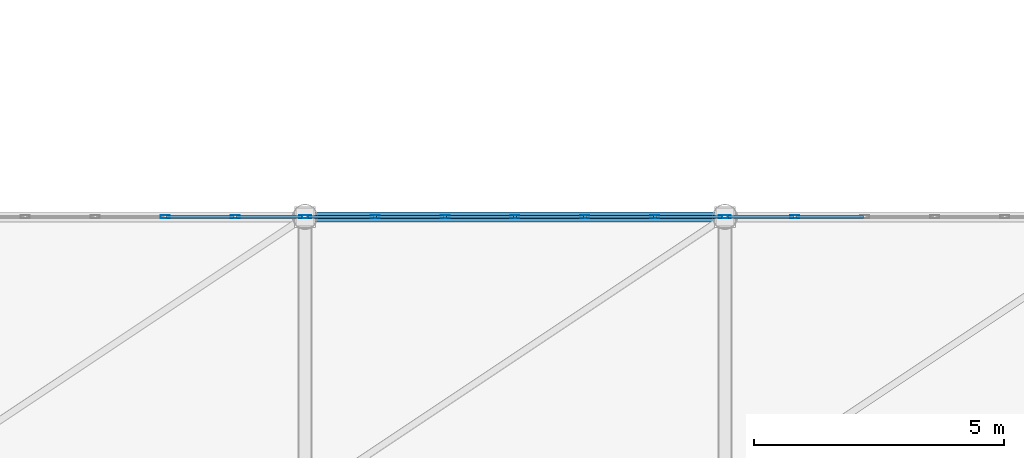
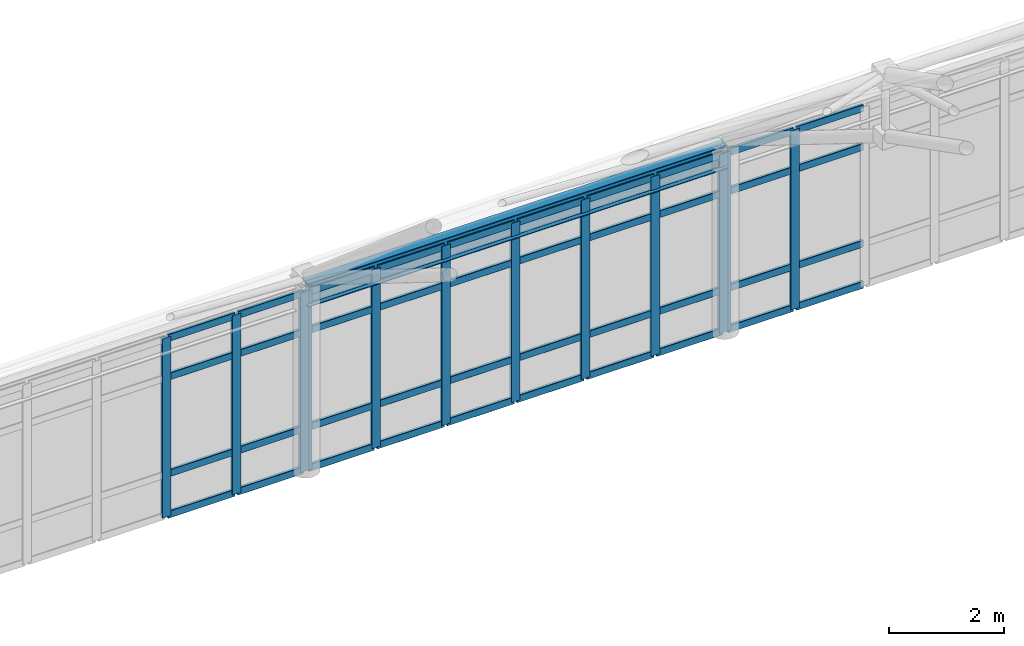
# One storey, part 94 of 184: 52 members, 1 beam, 3 elements without a shape of their own.
"""IFC4 building model written with IfcOpenShell, lengths in metres."""

from ifc_helpers import new_model, si_unit, direction, frame, origin, origin_2d, place, context, subcontext, project, spatial, hollow_rectangle, i_section, extrude, material, layer, layer_set, material_profile, profile_set, type_object, element, aggregate, save


model = new_model("IFC4")

# Units and contexts
model_context = context("Model", 3, precision=1e-05, world=origin(), true_north=direction((0.0, 1.0)))
body_context = subcontext(model_context, "Body", "Model", "MODEL_VIEW")
ifc_project = project(units=[si_unit("LENGTHUNIT", "METRE"), si_unit("AREAUNIT", "SQUARE_METRE"), si_unit("VOLUMEUNIT", "CUBIC_METRE"), si_unit("PLANEANGLEUNIT", "RADIAN"), si_unit("MASSUNIT", "GRAM", prefix="KILO")], contexts=[model_context])

# Site, building, storey
site_placement = place(None, origin())
site = spatial("IfcSite", under=ifc_project, at=site_placement, CompositionType="ELEMENT")
building_placement = place(site_placement, origin())
building = spatial("IfcBuilding", under=site, at=building_placement, Name="Qalvenar Corner Mobility Hub", CompositionType="ELEMENT")
storey_placement = place(building_placement, frame((0.0, 0.0, 9.0)))
storey = spatial("IfcBuildingStorey", under=building, at=storey_placement, Name="L02", CompositionType="ELEMENT", Elevation=9.0)

# Beam
ifc_material_1 = material(Name="Steel S355", Category="steel")
ifc_material_profile_1 = material_profile(ifc_material_1, i_section(OverallWidth=0.199951171875, OverallDepth=0.5, WebThickness=0.01025390625, FlangeThickness=0.01611328125, FilletRadius=0.02099609375, at=origin_2d()), Name="IPE500")
ifc_profile_set_1 = profile_set([ifc_material_profile_1], Name="Steel S355")
beam_type = type_object("IfcBeamType", Name="BM-IPE500", PredefinedType="BEAM", material=ifc_profile_set_1)
beam_placement = place(storey_placement, frame((67.199951171875, 33.60009765625, 3.75), z_axis=(1.0, 0.0, 0.0), x_axis=(0.0, 1.0, 0.0)))
element("IfcBeam", 1, at=beam_placement, inside=storey, type_object=beam_type, Name="Space Frame Ring Beam SFRB-3-33", PredefinedType="BEAM", context=body_context, shape_type="SweptSolid", body=[
    extrude(i_section(OverallWidth=0.199951171875, OverallDepth=0.5, WebThickness=0.01025390625, FlangeThickness=0.01611328125, FilletRadius=0.02099609375, at=origin_2d()), origin(), (0.0, 0.0, 1.0), 8.400146484375),
])

# Curtain wall, members
ifc_material_2 = material(Name="Anodised Aluminium and Low-E Glazing", Category="aluminium")
ifc_layer = layer(ifc_material_2, 0.179931640625)
ifc_layer_set = layer_set([ifc_layer], Name="Anodised Aluminium and Low-E Glazing")
curtain_wall_type = type_object("IfcCurtainWallType", Name="CW-CONC-84X42", PredefinedType="NOTDEFINED", material=ifc_layer_set)
curtain_wall_1_placement = place(storey_placement, origin())
curtain_wall_1 = element("IfcCurtainWall", 2, at=curtain_wall_1_placement, inside=storey, type_object=curtain_wall_type, Name="Glazed Curtain Wall CW-V1-L02-N1", PredefinedType="NOTDEFINED")
ifc_material_3 = material(Name="Anodised Aluminium 6063-T6", Category="aluminium")
ifc_material_profile_2 = material_profile(ifc_material_3, hollow_rectangle(XDim=0.06494140625, YDim=0.179931640625, WallThickness=0.00390625, InnerFilletRadius=0.00390625, OuterFilletRadius=0.008056640625, at=origin_2d()), Name="RHS180x65x4")
ifc_profile_set_2 = profile_set([ifc_material_profile_2], Name="Anodised Aluminium 6063-T6")
member_type_1 = type_object("IfcMemberType", Name="CW-MUL180", PredefinedType="MULLION", material=ifc_profile_set_2)
member_1_placement = place(storey_placement, frame((67.169921875, 33.60009765625, 0.0), z_axis=(0.0, 0.0, 1.0), x_axis=(0.0, -1.0, 0.0)))
member_1 = element("IfcMember", 3, at=member_1_placement, type_object=member_type_1, Name="CW-02 mullion 1", PredefinedType="MULLION", context=body_context, shape_type="SweptSolid", body=[
    extrude(hollow_rectangle(XDim=0.06494140625, YDim=0.179931640625, WallThickness=0.00390625, InnerFilletRadius=0.00390625, OuterFilletRadius=0.008056640625, at=origin_2d()), origin(), (0.0, 0.0, 1.0), 3.800048828125),
])
member_2_placement = place(storey_placement, frame((65.800048828125, 33.60009765625, 0.0), z_axis=(0.0, 0.0, 1.0), x_axis=(0.0, -1.0, 0.0)))
member_2 = element("IfcMember", 4, at=member_2_placement, type_object=member_type_1, Name="CW-02 mullion 2", PredefinedType="MULLION", context=body_context, shape_type="SweptSolid", body=[
    extrude(hollow_rectangle(XDim=0.06494140625, YDim=0.179931640625, WallThickness=0.00390625, InnerFilletRadius=0.00390625, OuterFilletRadius=0.008056640625, at=origin_2d()), origin(), (0.0, 0.0, 1.0), 3.800048828125),
])
member_3_placement = place(storey_placement, frame((64.39990234375, 33.60009765625, 0.0), z_axis=(0.0, 0.0, 1.0), x_axis=(0.0, -1.0, 0.0)))
member_3 = element("IfcMember", 5, at=member_3_placement, type_object=member_type_1, Name="CW-02 mullion 3", PredefinedType="MULLION", context=body_context, shape_type="SweptSolid", body=[
    extrude(hollow_rectangle(XDim=0.06494140625, YDim=0.179931640625, WallThickness=0.00390625, InnerFilletRadius=0.00390625, OuterFilletRadius=0.008056640625, at=origin_2d()), origin(), (0.0, 0.0, 1.0), 3.800048828125),
])

curtain_wall_2_placement = place(storey_placement, origin())
curtain_wall_2 = element("IfcCurtainWall", 6, at=curtain_wall_2_placement, inside=storey, type_object=curtain_wall_type, Name="Glazed Curtain Wall CW-V1-L02-N2", PredefinedType="NOTDEFINED")
member_4_placement = place(storey_placement, frame((75.570068359375, 33.60009765625, 0.0), z_axis=(0.0, 0.0, 1.0), x_axis=(0.0, -1.0, 0.0)))
member_4 = element("IfcMember", 7, at=member_4_placement, type_object=member_type_1, Name="CW-02 mullion 1", PredefinedType="MULLION", context=body_context, shape_type="SweptSolid", body=[
    extrude(hollow_rectangle(XDim=0.06494140625, YDim=0.179931640625, WallThickness=0.00390625, InnerFilletRadius=0.00390625, OuterFilletRadius=0.008056640625, at=origin_2d()), origin(), (0.0, 0.0, 1.0), 3.800048828125),
])
member_5_placement = place(storey_placement, frame((74.199951171875, 33.60009765625, 0.0), z_axis=(0.0, 0.0, 1.0), x_axis=(0.0, -1.0, 0.0)))
member_5 = element("IfcMember", 8, at=member_5_placement, type_object=member_type_1, Name="CW-02 mullion 2", PredefinedType="MULLION", context=body_context, shape_type="SweptSolid", body=[
    extrude(hollow_rectangle(XDim=0.06494140625, YDim=0.179931640625, WallThickness=0.00390625, InnerFilletRadius=0.00390625, OuterFilletRadius=0.008056640625, at=origin_2d()), origin(), (0.0, 0.0, 1.0), 3.800048828125),
])
member_6_placement = place(storey_placement, frame((72.800048828125, 33.60009765625, 0.0), z_axis=(0.0, 0.0, 1.0), x_axis=(0.0, -1.0, 0.0)))
member_6 = element("IfcMember", 9, at=member_6_placement, type_object=member_type_1, Name="CW-02 mullion 3", PredefinedType="MULLION", context=body_context, shape_type="SweptSolid", body=[
    extrude(hollow_rectangle(XDim=0.06494140625, YDim=0.179931640625, WallThickness=0.00390625, InnerFilletRadius=0.00390625, OuterFilletRadius=0.008056640625, at=origin_2d()), origin(), (0.0, 0.0, 1.0), 3.800048828125),
])
member_7_placement = place(storey_placement, frame((71.39990234375, 33.60009765625, 0.0), z_axis=(0.0, 0.0, 1.0), x_axis=(0.0, -1.0, 0.0)))
member_7 = element("IfcMember", 10, at=member_7_placement, type_object=member_type_1, Name="CW-02 mullion 4", PredefinedType="MULLION", context=body_context, shape_type="SweptSolid", body=[
    extrude(hollow_rectangle(XDim=0.06494140625, YDim=0.179931640625, WallThickness=0.00390625, InnerFilletRadius=0.00390625, OuterFilletRadius=0.008056640625, at=origin_2d()), origin(), (0.0, 0.0, 1.0), 3.800048828125),
])
member_8_placement = place(storey_placement, frame((70.0, 33.60009765625, 0.0), z_axis=(0.0, 0.0, 1.0), x_axis=(0.0, -1.0, 0.0)))
member_8 = element("IfcMember", 11, at=member_8_placement, type_object=member_type_1, Name="CW-02 mullion 5", PredefinedType="MULLION", context=body_context, shape_type="SweptSolid", body=[
    extrude(hollow_rectangle(XDim=0.06494140625, YDim=0.179931640625, WallThickness=0.00390625, InnerFilletRadius=0.00390625, OuterFilletRadius=0.008056640625, at=origin_2d()), origin(), (0.0, 0.0, 1.0), 3.800048828125),
])
member_9_placement = place(storey_placement, frame((68.60009765625, 33.60009765625, 0.0), z_axis=(0.0, 0.0, 1.0), x_axis=(0.0, -1.0, 0.0)))
member_9 = element("IfcMember", 12, at=member_9_placement, type_object=member_type_1, Name="CW-02 mullion 6", PredefinedType="MULLION", context=body_context, shape_type="SweptSolid", body=[
    extrude(hollow_rectangle(XDim=0.06494140625, YDim=0.179931640625, WallThickness=0.00390625, InnerFilletRadius=0.00390625, OuterFilletRadius=0.008056640625, at=origin_2d()), origin(), (0.0, 0.0, 1.0), 3.800048828125),
])
member_10_placement = place(storey_placement, frame((67.22998046875, 33.60009765625, 0.0), z_axis=(0.0, 0.0, 1.0), x_axis=(0.0, -1.0, 0.0)))
member_10 = element("IfcMember", 13, at=member_10_placement, type_object=member_type_1, Name="CW-02 mullion 7", PredefinedType="MULLION", context=body_context, shape_type="SweptSolid", body=[
    extrude(hollow_rectangle(XDim=0.06494140625, YDim=0.179931640625, WallThickness=0.00390625, InnerFilletRadius=0.00390625, OuterFilletRadius=0.008056640625, at=origin_2d()), origin(), (0.0, 0.0, 1.0), 3.800048828125),
])

curtain_wall_3_placement = place(storey_placement, origin())
curtain_wall_3 = element("IfcCurtainWall", 14, at=curtain_wall_3_placement, inside=storey, type_object=curtain_wall_type, Name="Glazed Curtain Wall CW-V1-L02-N3", PredefinedType="NOTDEFINED")
member_11_placement = place(storey_placement, frame((77.0, 33.60009765625, 0.0), z_axis=(0.0, 0.0, 1.0), x_axis=(0.0, -1.0, 0.0)))
member_11 = element("IfcMember", 15, at=member_11_placement, type_object=member_type_1, Name="CW-02 mullion 6", PredefinedType="MULLION", context=body_context, shape_type="SweptSolid", body=[
    extrude(hollow_rectangle(XDim=0.06494140625, YDim=0.179931640625, WallThickness=0.00390625, InnerFilletRadius=0.00390625, OuterFilletRadius=0.008056640625, at=origin_2d()), origin(), (0.0, 0.0, 1.0), 3.800048828125),
])
member_12_placement = place(storey_placement, frame((75.6298828125, 33.60009765625, 0.0), z_axis=(0.0, 0.0, 1.0), x_axis=(0.0, -1.0, 0.0)))
member_12 = element("IfcMember", 16, at=member_12_placement, type_object=member_type_1, Name="CW-02 mullion 7", PredefinedType="MULLION", context=body_context, shape_type="SweptSolid", body=[
    extrude(hollow_rectangle(XDim=0.06494140625, YDim=0.179931640625, WallThickness=0.00390625, InnerFilletRadius=0.00390625, OuterFilletRadius=0.008056640625, at=origin_2d()), origin(), (0.0, 0.0, 1.0), 3.800048828125),
])

# Member
ifc_material_profile_3 = material_profile(ifc_material_3, hollow_rectangle(XDim=0.06005859375, YDim=0.14990234375, WallThickness=0.00341796875, InnerFilletRadius=0.00341796875, OuterFilletRadius=0.007080078125, at=origin_2d()), Name="RHS150x60x3.5")
ifc_profile_set_3 = profile_set([ifc_material_profile_3], Name="Anodised Aluminium 6063-T6")
member_type_2 = type_object("IfcMemberType", Name="CW-TRN150", PredefinedType="USERDEFINED", material=ifc_profile_set_3)
member_13_placement = place(storey_placement, frame((67.139892578125, 33.60009765625, 0.027587890625), z_axis=(-1.0, 0.0, 0.0), x_axis=(0.0, -1.0, 0.0)))
member_13 = element("IfcMember", 17, at=member_13_placement, type_object=member_type_2, Name="CW-02 transom 1.1", ObjectType="TRANSOM", PredefinedType="USERDEFINED", context=body_context, shape_type="SweptSolid", body=[
    extrude(hollow_rectangle(XDim=0.06005859375, YDim=0.14990234375, WallThickness=0.00341796875, InnerFilletRadius=0.00341796875, OuterFilletRadius=0.007080078125, at=origin_2d()), origin(), (0.0, 0.0, 1.0), 1.309814453125),
])

member_14_placement = place(storey_placement, frame((67.139892578125, 33.60009765625, 0.89990234375), z_axis=(-1.0, 0.0, 0.0), x_axis=(0.0, -1.0, 0.0)))
member_14 = element("IfcMember", 18, at=member_14_placement, type_object=member_type_2, Name="CW-02 transom 1.2", ObjectType="TRANSOM", PredefinedType="USERDEFINED", context=body_context, shape_type="SweptSolid", body=[
    extrude(hollow_rectangle(XDim=0.06005859375, YDim=0.14990234375, WallThickness=0.00341796875, InnerFilletRadius=0.00341796875, OuterFilletRadius=0.007080078125, at=origin_2d()), origin(), (0.0, 0.0, 1.0), 1.309814453125),
])

member_15_placement = place(storey_placement, frame((67.139892578125, 33.60009765625, 2.949951171875), z_axis=(-1.0, 0.0, 0.0), x_axis=(0.0, -1.0, 0.0)))
member_15 = element("IfcMember", 19, at=member_15_placement, type_object=member_type_2, Name="CW-02 transom 1.3", ObjectType="TRANSOM", PredefinedType="USERDEFINED", context=body_context, shape_type="SweptSolid", body=[
    extrude(hollow_rectangle(XDim=0.06005859375, YDim=0.14990234375, WallThickness=0.00341796875, InnerFilletRadius=0.00341796875, OuterFilletRadius=0.007080078125, at=origin_2d()), origin(), (0.0, 0.0, 1.0), 1.309814453125),
])

member_16_placement = place(storey_placement, frame((67.139892578125, 33.60009765625, 3.7724609375), z_axis=(-1.0, 0.0, 0.0), x_axis=(0.0, -1.0, 0.0)))
member_16 = element("IfcMember", 20, at=member_16_placement, type_object=member_type_2, Name="CW-02 transom 1.4", ObjectType="TRANSOM", PredefinedType="USERDEFINED", context=body_context, shape_type="SweptSolid", body=[
    extrude(hollow_rectangle(XDim=0.06005859375, YDim=0.14990234375, WallThickness=0.00341796875, InnerFilletRadius=0.00341796875, OuterFilletRadius=0.007080078125, at=origin_2d()), origin(), (0.0, 0.0, 1.0), 1.309814453125),
])

member_17_placement = place(storey_placement, frame((65.77001953125, 33.60009765625, 0.027587890625), z_axis=(-1.0, 0.0, 0.0), x_axis=(0.0, -1.0, 0.0)))
member_17 = element("IfcMember", 21, at=member_17_placement, type_object=member_type_2, Name="CW-02 transom 2.1", ObjectType="TRANSOM", PredefinedType="USERDEFINED", context=body_context, shape_type="SweptSolid", body=[
    extrude(hollow_rectangle(XDim=0.06005859375, YDim=0.14990234375, WallThickness=0.00341796875, InnerFilletRadius=0.00341796875, OuterFilletRadius=0.007080078125, at=origin_2d()), origin(), (0.0, 0.0, 1.0), 1.340087890625),
])

member_18_placement = place(storey_placement, frame((65.77001953125, 33.60009765625, 0.89990234375), z_axis=(-1.0, 0.0, 0.0), x_axis=(0.0, -1.0, 0.0)))
member_18 = element("IfcMember", 22, at=member_18_placement, type_object=member_type_2, Name="CW-02 transom 2.2", ObjectType="TRANSOM", PredefinedType="USERDEFINED", context=body_context, shape_type="SweptSolid", body=[
    extrude(hollow_rectangle(XDim=0.06005859375, YDim=0.14990234375, WallThickness=0.00341796875, InnerFilletRadius=0.00341796875, OuterFilletRadius=0.007080078125, at=origin_2d()), origin(), (0.0, 0.0, 1.0), 1.340087890625),
])

member_19_placement = place(storey_placement, frame((65.77001953125, 33.60009765625, 2.949951171875), z_axis=(-1.0, 0.0, 0.0), x_axis=(0.0, -1.0, 0.0)))
member_19 = element("IfcMember", 23, at=member_19_placement, type_object=member_type_2, Name="CW-02 transom 2.3", ObjectType="TRANSOM", PredefinedType="USERDEFINED", context=body_context, shape_type="SweptSolid", body=[
    extrude(hollow_rectangle(XDim=0.06005859375, YDim=0.14990234375, WallThickness=0.00341796875, InnerFilletRadius=0.00341796875, OuterFilletRadius=0.007080078125, at=origin_2d()), origin(), (0.0, 0.0, 1.0), 1.340087890625),
])

member_20_placement = place(storey_placement, frame((65.77001953125, 33.60009765625, 3.7724609375), z_axis=(-1.0, 0.0, 0.0), x_axis=(0.0, -1.0, 0.0)))
member_20 = element("IfcMember", 24, at=member_20_placement, type_object=member_type_2, Name="CW-02 transom 2.4", ObjectType="TRANSOM", PredefinedType="USERDEFINED", context=body_context, shape_type="SweptSolid", body=[
    extrude(hollow_rectangle(XDim=0.06005859375, YDim=0.14990234375, WallThickness=0.00341796875, InnerFilletRadius=0.00341796875, OuterFilletRadius=0.007080078125, at=origin_2d()), origin(), (0.0, 0.0, 1.0), 1.340087890625),
])

aggregate(curtain_wall_1, [member_1, member_2, member_3, member_13, member_14, member_15, member_16, member_17, member_18, member_19, member_20])

member_21_placement = place(storey_placement, frame((75.5400390625, 33.60009765625, 0.027587890625), z_axis=(-1.0, 0.0, 0.0), x_axis=(0.0, -1.0, 0.0)))
member_21 = element("IfcMember", 25, at=member_21_placement, type_object=member_type_2, Name="CW-02 transom 1.1", ObjectType="TRANSOM", PredefinedType="USERDEFINED", context=body_context, shape_type="SweptSolid", body=[
    extrude(hollow_rectangle(XDim=0.06005859375, YDim=0.14990234375, WallThickness=0.00341796875, InnerFilletRadius=0.00341796875, OuterFilletRadius=0.007080078125, at=origin_2d()), origin(), (0.0, 0.0, 1.0), 1.31005859375),
])

member_22_placement = place(storey_placement, frame((75.5400390625, 33.60009765625, 0.89990234375), z_axis=(-1.0, 0.0, 0.0), x_axis=(0.0, -1.0, 0.0)))
member_22 = element("IfcMember", 26, at=member_22_placement, type_object=member_type_2, Name="CW-02 transom 1.2", ObjectType="TRANSOM", PredefinedType="USERDEFINED", context=body_context, shape_type="SweptSolid", body=[
    extrude(hollow_rectangle(XDim=0.06005859375, YDim=0.14990234375, WallThickness=0.00341796875, InnerFilletRadius=0.00341796875, OuterFilletRadius=0.007080078125, at=origin_2d()), origin(), (0.0, 0.0, 1.0), 1.31005859375),
])

member_23_placement = place(storey_placement, frame((75.5400390625, 33.60009765625, 2.949951171875), z_axis=(-1.0, 0.0, 0.0), x_axis=(0.0, -1.0, 0.0)))
member_23 = element("IfcMember", 27, at=member_23_placement, type_object=member_type_2, Name="CW-02 transom 1.3", ObjectType="TRANSOM", PredefinedType="USERDEFINED", context=body_context, shape_type="SweptSolid", body=[
    extrude(hollow_rectangle(XDim=0.06005859375, YDim=0.14990234375, WallThickness=0.00341796875, InnerFilletRadius=0.00341796875, OuterFilletRadius=0.007080078125, at=origin_2d()), origin(), (0.0, 0.0, 1.0), 1.31005859375),
])

member_24_placement = place(storey_placement, frame((75.5400390625, 33.60009765625, 3.7724609375), z_axis=(-1.0, 0.0, 0.0), x_axis=(0.0, -1.0, 0.0)))
member_24 = element("IfcMember", 28, at=member_24_placement, type_object=member_type_2, Name="CW-02 transom 1.4", ObjectType="TRANSOM", PredefinedType="USERDEFINED", context=body_context, shape_type="SweptSolid", body=[
    extrude(hollow_rectangle(XDim=0.06005859375, YDim=0.14990234375, WallThickness=0.00341796875, InnerFilletRadius=0.00341796875, OuterFilletRadius=0.007080078125, at=origin_2d()), origin(), (0.0, 0.0, 1.0), 1.31005859375),
])

member_25_placement = place(storey_placement, frame((74.169921875, 33.60009765625, 0.027587890625), z_axis=(-1.0, 0.0, 0.0), x_axis=(0.0, -1.0, 0.0)))
member_25 = element("IfcMember", 29, at=member_25_placement, type_object=member_type_2, Name="CW-02 transom 2.1", ObjectType="TRANSOM", PredefinedType="USERDEFINED", context=body_context, shape_type="SweptSolid", body=[
    extrude(hollow_rectangle(XDim=0.06005859375, YDim=0.14990234375, WallThickness=0.00341796875, InnerFilletRadius=0.00341796875, OuterFilletRadius=0.007080078125, at=origin_2d()), origin(), (0.0, 0.0, 1.0), 1.33984375),
])

member_26_placement = place(storey_placement, frame((74.169921875, 33.60009765625, 0.89990234375), z_axis=(-1.0, 0.0, 0.0), x_axis=(0.0, -1.0, 0.0)))
member_26 = element("IfcMember", 30, at=member_26_placement, type_object=member_type_2, Name="CW-02 transom 2.2", ObjectType="TRANSOM", PredefinedType="USERDEFINED", context=body_context, shape_type="SweptSolid", body=[
    extrude(hollow_rectangle(XDim=0.06005859375, YDim=0.14990234375, WallThickness=0.00341796875, InnerFilletRadius=0.00341796875, OuterFilletRadius=0.007080078125, at=origin_2d()), origin(), (0.0, 0.0, 1.0), 1.33984375),
])

member_27_placement = place(storey_placement, frame((74.169921875, 33.60009765625, 2.949951171875), z_axis=(-1.0, 0.0, 0.0), x_axis=(0.0, -1.0, 0.0)))
member_27 = element("IfcMember", 31, at=member_27_placement, type_object=member_type_2, Name="CW-02 transom 2.3", ObjectType="TRANSOM", PredefinedType="USERDEFINED", context=body_context, shape_type="SweptSolid", body=[
    extrude(hollow_rectangle(XDim=0.06005859375, YDim=0.14990234375, WallThickness=0.00341796875, InnerFilletRadius=0.00341796875, OuterFilletRadius=0.007080078125, at=origin_2d()), origin(), (0.0, 0.0, 1.0), 1.33984375),
])

member_28_placement = place(storey_placement, frame((74.169921875, 33.60009765625, 3.7724609375), z_axis=(-1.0, 0.0, 0.0), x_axis=(0.0, -1.0, 0.0)))
member_28 = element("IfcMember", 32, at=member_28_placement, type_object=member_type_2, Name="CW-02 transom 2.4", ObjectType="TRANSOM", PredefinedType="USERDEFINED", context=body_context, shape_type="SweptSolid", body=[
    extrude(hollow_rectangle(XDim=0.06005859375, YDim=0.14990234375, WallThickness=0.00341796875, InnerFilletRadius=0.00341796875, OuterFilletRadius=0.007080078125, at=origin_2d()), origin(), (0.0, 0.0, 1.0), 1.33984375),
])

member_29_placement = place(storey_placement, frame((72.77001953125, 33.60009765625, 0.027587890625), z_axis=(-1.0, 0.0, 0.0), x_axis=(0.0, -1.0, 0.0)))
member_29 = element("IfcMember", 33, at=member_29_placement, type_object=member_type_2, Name="CW-02 transom 3.1", ObjectType="TRANSOM", PredefinedType="USERDEFINED", context=body_context, shape_type="SweptSolid", body=[
    extrude(hollow_rectangle(XDim=0.06005859375, YDim=0.14990234375, WallThickness=0.00341796875, InnerFilletRadius=0.00341796875, OuterFilletRadius=0.007080078125, at=origin_2d()), origin(), (0.0, 0.0, 1.0), 1.340087890625),
])

member_30_placement = place(storey_placement, frame((72.77001953125, 33.60009765625, 0.89990234375), z_axis=(-1.0, 0.0, 0.0), x_axis=(0.0, -1.0, 0.0)))
member_30 = element("IfcMember", 34, at=member_30_placement, type_object=member_type_2, Name="CW-02 transom 3.2", ObjectType="TRANSOM", PredefinedType="USERDEFINED", context=body_context, shape_type="SweptSolid", body=[
    extrude(hollow_rectangle(XDim=0.06005859375, YDim=0.14990234375, WallThickness=0.00341796875, InnerFilletRadius=0.00341796875, OuterFilletRadius=0.007080078125, at=origin_2d()), origin(), (0.0, 0.0, 1.0), 1.340087890625),
])

member_31_placement = place(storey_placement, frame((72.77001953125, 33.60009765625, 2.949951171875), z_axis=(-1.0, 0.0, 0.0), x_axis=(0.0, -1.0, 0.0)))
member_31 = element("IfcMember", 35, at=member_31_placement, type_object=member_type_2, Name="CW-02 transom 3.3", ObjectType="TRANSOM", PredefinedType="USERDEFINED", context=body_context, shape_type="SweptSolid", body=[
    extrude(hollow_rectangle(XDim=0.06005859375, YDim=0.14990234375, WallThickness=0.00341796875, InnerFilletRadius=0.00341796875, OuterFilletRadius=0.007080078125, at=origin_2d()), origin(), (0.0, 0.0, 1.0), 1.340087890625),
])

member_32_placement = place(storey_placement, frame((72.77001953125, 33.60009765625, 3.7724609375), z_axis=(-1.0, 0.0, 0.0), x_axis=(0.0, -1.0, 0.0)))
member_32 = element("IfcMember", 36, at=member_32_placement, type_object=member_type_2, Name="CW-02 transom 3.4", ObjectType="TRANSOM", PredefinedType="USERDEFINED", context=body_context, shape_type="SweptSolid", body=[
    extrude(hollow_rectangle(XDim=0.06005859375, YDim=0.14990234375, WallThickness=0.00341796875, InnerFilletRadius=0.00341796875, OuterFilletRadius=0.007080078125, at=origin_2d()), origin(), (0.0, 0.0, 1.0), 1.340087890625),
])

member_33_placement = place(storey_placement, frame((71.3701171875, 33.60009765625, 0.027587890625), z_axis=(-1.0, 0.0, 0.0), x_axis=(0.0, -1.0, 0.0)))
member_33 = element("IfcMember", 37, at=member_33_placement, type_object=member_type_2, Name="CW-02 transom 4.1", ObjectType="TRANSOM", PredefinedType="USERDEFINED", context=body_context, shape_type="SweptSolid", body=[
    extrude(hollow_rectangle(XDim=0.06005859375, YDim=0.14990234375, WallThickness=0.00341796875, InnerFilletRadius=0.00341796875, OuterFilletRadius=0.007080078125, at=origin_2d()), origin(), (0.0, 0.0, 1.0), 1.340087890625),
])

member_34_placement = place(storey_placement, frame((71.3701171875, 33.60009765625, 0.89990234375), z_axis=(-1.0, 0.0, 0.0), x_axis=(0.0, -1.0, 0.0)))
member_34 = element("IfcMember", 38, at=member_34_placement, type_object=member_type_2, Name="CW-02 transom 4.2", ObjectType="TRANSOM", PredefinedType="USERDEFINED", context=body_context, shape_type="SweptSolid", body=[
    extrude(hollow_rectangle(XDim=0.06005859375, YDim=0.14990234375, WallThickness=0.00341796875, InnerFilletRadius=0.00341796875, OuterFilletRadius=0.007080078125, at=origin_2d()), origin(), (0.0, 0.0, 1.0), 1.340087890625),
])

member_35_placement = place(storey_placement, frame((71.3701171875, 33.60009765625, 2.949951171875), z_axis=(-1.0, 0.0, 0.0), x_axis=(0.0, -1.0, 0.0)))
member_35 = element("IfcMember", 39, at=member_35_placement, type_object=member_type_2, Name="CW-02 transom 4.3", ObjectType="TRANSOM", PredefinedType="USERDEFINED", context=body_context, shape_type="SweptSolid", body=[
    extrude(hollow_rectangle(XDim=0.06005859375, YDim=0.14990234375, WallThickness=0.00341796875, InnerFilletRadius=0.00341796875, OuterFilletRadius=0.007080078125, at=origin_2d()), origin(), (0.0, 0.0, 1.0), 1.340087890625),
])

member_36_placement = place(storey_placement, frame((71.3701171875, 33.60009765625, 3.7724609375), z_axis=(-1.0, 0.0, 0.0), x_axis=(0.0, -1.0, 0.0)))
member_36 = element("IfcMember", 40, at=member_36_placement, type_object=member_type_2, Name="CW-02 transom 4.4", ObjectType="TRANSOM", PredefinedType="USERDEFINED", context=body_context, shape_type="SweptSolid", body=[
    extrude(hollow_rectangle(XDim=0.06005859375, YDim=0.14990234375, WallThickness=0.00341796875, InnerFilletRadius=0.00341796875, OuterFilletRadius=0.007080078125, at=origin_2d()), origin(), (0.0, 0.0, 1.0), 1.340087890625),
])

member_37_placement = place(storey_placement, frame((69.969970703125, 33.60009765625, 0.027587890625), z_axis=(-1.0, 0.0, 0.0), x_axis=(0.0, -1.0, 0.0)))
member_37 = element("IfcMember", 41, at=member_37_placement, type_object=member_type_2, Name="CW-02 transom 5.1", ObjectType="TRANSOM", PredefinedType="USERDEFINED", context=body_context, shape_type="SweptSolid", body=[
    extrude(hollow_rectangle(XDim=0.06005859375, YDim=0.14990234375, WallThickness=0.00341796875, InnerFilletRadius=0.00341796875, OuterFilletRadius=0.007080078125, at=origin_2d()), origin(), (0.0, 0.0, 1.0), 1.340087890625),
])

member_38_placement = place(storey_placement, frame((69.969970703125, 33.60009765625, 0.89990234375), z_axis=(-1.0, 0.0, 0.0), x_axis=(0.0, -1.0, 0.0)))
member_38 = element("IfcMember", 42, at=member_38_placement, type_object=member_type_2, Name="CW-02 transom 5.2", ObjectType="TRANSOM", PredefinedType="USERDEFINED", context=body_context, shape_type="SweptSolid", body=[
    extrude(hollow_rectangle(XDim=0.06005859375, YDim=0.14990234375, WallThickness=0.00341796875, InnerFilletRadius=0.00341796875, OuterFilletRadius=0.007080078125, at=origin_2d()), origin(), (0.0, 0.0, 1.0), 1.340087890625),
])

member_39_placement = place(storey_placement, frame((69.969970703125, 33.60009765625, 2.949951171875), z_axis=(-1.0, 0.0, 0.0), x_axis=(0.0, -1.0, 0.0)))
member_39 = element("IfcMember", 43, at=member_39_placement, type_object=member_type_2, Name="CW-02 transom 5.3", ObjectType="TRANSOM", PredefinedType="USERDEFINED", context=body_context, shape_type="SweptSolid", body=[
    extrude(hollow_rectangle(XDim=0.06005859375, YDim=0.14990234375, WallThickness=0.00341796875, InnerFilletRadius=0.00341796875, OuterFilletRadius=0.007080078125, at=origin_2d()), origin(), (0.0, 0.0, 1.0), 1.340087890625),
])

member_40_placement = place(storey_placement, frame((69.969970703125, 33.60009765625, 3.7724609375), z_axis=(-1.0, 0.0, 0.0), x_axis=(0.0, -1.0, 0.0)))
member_40 = element("IfcMember", 44, at=member_40_placement, type_object=member_type_2, Name="CW-02 transom 5.4", ObjectType="TRANSOM", PredefinedType="USERDEFINED", context=body_context, shape_type="SweptSolid", body=[
    extrude(hollow_rectangle(XDim=0.06005859375, YDim=0.14990234375, WallThickness=0.00341796875, InnerFilletRadius=0.00341796875, OuterFilletRadius=0.007080078125, at=origin_2d()), origin(), (0.0, 0.0, 1.0), 1.340087890625),
])

member_41_placement = place(storey_placement, frame((68.570068359375, 33.60009765625, 0.027587890625), z_axis=(-1.0, 0.0, 0.0), x_axis=(0.0, -1.0, 0.0)))
member_41 = element("IfcMember", 45, at=member_41_placement, type_object=member_type_2, Name="CW-02 transom 6.1", ObjectType="TRANSOM", PredefinedType="USERDEFINED", context=body_context, shape_type="SweptSolid", body=[
    extrude(hollow_rectangle(XDim=0.06005859375, YDim=0.14990234375, WallThickness=0.00341796875, InnerFilletRadius=0.00341796875, OuterFilletRadius=0.007080078125, at=origin_2d()), origin(), (0.0, 0.0, 1.0), 1.31005859375),
])

member_42_placement = place(storey_placement, frame((68.570068359375, 33.60009765625, 0.89990234375), z_axis=(-1.0, 0.0, 0.0), x_axis=(0.0, -1.0, 0.0)))
member_42 = element("IfcMember", 46, at=member_42_placement, type_object=member_type_2, Name="CW-02 transom 6.2", ObjectType="TRANSOM", PredefinedType="USERDEFINED", context=body_context, shape_type="SweptSolid", body=[
    extrude(hollow_rectangle(XDim=0.06005859375, YDim=0.14990234375, WallThickness=0.00341796875, InnerFilletRadius=0.00341796875, OuterFilletRadius=0.007080078125, at=origin_2d()), origin(), (0.0, 0.0, 1.0), 1.31005859375),
])

member_43_placement = place(storey_placement, frame((68.570068359375, 33.60009765625, 2.949951171875), z_axis=(-1.0, 0.0, 0.0), x_axis=(0.0, -1.0, 0.0)))
member_43 = element("IfcMember", 47, at=member_43_placement, type_object=member_type_2, Name="CW-02 transom 6.3", ObjectType="TRANSOM", PredefinedType="USERDEFINED", context=body_context, shape_type="SweptSolid", body=[
    extrude(hollow_rectangle(XDim=0.06005859375, YDim=0.14990234375, WallThickness=0.00341796875, InnerFilletRadius=0.00341796875, OuterFilletRadius=0.007080078125, at=origin_2d()), origin(), (0.0, 0.0, 1.0), 1.31005859375),
])

member_44_placement = place(storey_placement, frame((68.570068359375, 33.60009765625, 3.7724609375), z_axis=(-1.0, 0.0, 0.0), x_axis=(0.0, -1.0, 0.0)))
member_44 = element("IfcMember", 48, at=member_44_placement, type_object=member_type_2, Name="CW-02 transom 6.4", ObjectType="TRANSOM", PredefinedType="USERDEFINED", context=body_context, shape_type="SweptSolid", body=[
    extrude(hollow_rectangle(XDim=0.06005859375, YDim=0.14990234375, WallThickness=0.00341796875, InnerFilletRadius=0.00341796875, OuterFilletRadius=0.007080078125, at=origin_2d()), origin(), (0.0, 0.0, 1.0), 1.31005859375),
])

aggregate(curtain_wall_2, [member_4, member_5, member_6, member_7, member_8, member_9, member_10, member_21, member_22, member_23, member_24, member_25, member_26, member_27, member_28, member_29, member_30, member_31, member_32, member_33, member_34, member_35, member_36, member_37, member_38, member_39, member_40, member_41, member_42, member_43, member_44])

member_45_placement = place(storey_placement, frame((78.3701171875, 33.60009765625, 0.027587890625), z_axis=(-1.0, 0.0, 0.0), x_axis=(0.0, -1.0, 0.0)))
member_45 = element("IfcMember", 49, at=member_45_placement, type_object=member_type_2, Name="CW-02 transom 5.1", ObjectType="TRANSOM", PredefinedType="USERDEFINED", context=body_context, shape_type="SweptSolid", body=[
    extrude(hollow_rectangle(XDim=0.06005859375, YDim=0.14990234375, WallThickness=0.00341796875, InnerFilletRadius=0.00341796875, OuterFilletRadius=0.007080078125, at=origin_2d()), origin(), (0.0, 0.0, 1.0), 1.340087890625),
])

member_46_placement = place(storey_placement, frame((78.3701171875, 33.60009765625, 0.89990234375), z_axis=(-1.0, 0.0, 0.0), x_axis=(0.0, -1.0, 0.0)))
member_46 = element("IfcMember", 50, at=member_46_placement, type_object=member_type_2, Name="CW-02 transom 5.2", ObjectType="TRANSOM", PredefinedType="USERDEFINED", context=body_context, shape_type="SweptSolid", body=[
    extrude(hollow_rectangle(XDim=0.06005859375, YDim=0.14990234375, WallThickness=0.00341796875, InnerFilletRadius=0.00341796875, OuterFilletRadius=0.007080078125, at=origin_2d()), origin(), (0.0, 0.0, 1.0), 1.340087890625),
])

member_47_placement = place(storey_placement, frame((78.3701171875, 33.60009765625, 2.949951171875), z_axis=(-1.0, 0.0, 0.0), x_axis=(0.0, -1.0, 0.0)))
member_47 = element("IfcMember", 51, at=member_47_placement, type_object=member_type_2, Name="CW-02 transom 5.3", ObjectType="TRANSOM", PredefinedType="USERDEFINED", context=body_context, shape_type="SweptSolid", body=[
    extrude(hollow_rectangle(XDim=0.06005859375, YDim=0.14990234375, WallThickness=0.00341796875, InnerFilletRadius=0.00341796875, OuterFilletRadius=0.007080078125, at=origin_2d()), origin(), (0.0, 0.0, 1.0), 1.340087890625),
])

member_48_placement = place(storey_placement, frame((78.3701171875, 33.60009765625, 3.7724609375), z_axis=(-1.0, 0.0, 0.0), x_axis=(0.0, -1.0, 0.0)))
member_48 = element("IfcMember", 52, at=member_48_placement, type_object=member_type_2, Name="CW-02 transom 5.4", ObjectType="TRANSOM", PredefinedType="USERDEFINED", context=body_context, shape_type="SweptSolid", body=[
    extrude(hollow_rectangle(XDim=0.06005859375, YDim=0.14990234375, WallThickness=0.00341796875, InnerFilletRadius=0.00341796875, OuterFilletRadius=0.007080078125, at=origin_2d()), origin(), (0.0, 0.0, 1.0), 1.340087890625),
])

member_49_placement = place(storey_placement, frame((76.969970703125, 33.60009765625, 0.027587890625), z_axis=(-1.0, 0.0, 0.0), x_axis=(0.0, -1.0, 0.0)))
member_49 = element("IfcMember", 53, at=member_49_placement, type_object=member_type_2, Name="CW-02 transom 6.1", ObjectType="TRANSOM", PredefinedType="USERDEFINED", context=body_context, shape_type="SweptSolid", body=[
    extrude(hollow_rectangle(XDim=0.06005859375, YDim=0.14990234375, WallThickness=0.00341796875, InnerFilletRadius=0.00341796875, OuterFilletRadius=0.007080078125, at=origin_2d()), origin(), (0.0, 0.0, 1.0), 1.31005859375),
])

member_50_placement = place(storey_placement, frame((76.969970703125, 33.60009765625, 0.89990234375), z_axis=(-1.0, 0.0, 0.0), x_axis=(0.0, -1.0, 0.0)))
member_50 = element("IfcMember", 54, at=member_50_placement, type_object=member_type_2, Name="CW-02 transom 6.2", ObjectType="TRANSOM", PredefinedType="USERDEFINED", context=body_context, shape_type="SweptSolid", body=[
    extrude(hollow_rectangle(XDim=0.06005859375, YDim=0.14990234375, WallThickness=0.00341796875, InnerFilletRadius=0.00341796875, OuterFilletRadius=0.007080078125, at=origin_2d()), origin(), (0.0, 0.0, 1.0), 1.31005859375),
])

member_51_placement = place(storey_placement, frame((76.969970703125, 33.60009765625, 2.949951171875), z_axis=(-1.0, 0.0, 0.0), x_axis=(0.0, -1.0, 0.0)))
member_51 = element("IfcMember", 55, at=member_51_placement, type_object=member_type_2, Name="CW-02 transom 6.3", ObjectType="TRANSOM", PredefinedType="USERDEFINED", context=body_context, shape_type="SweptSolid", body=[
    extrude(hollow_rectangle(XDim=0.06005859375, YDim=0.14990234375, WallThickness=0.00341796875, InnerFilletRadius=0.00341796875, OuterFilletRadius=0.007080078125, at=origin_2d()), origin(), (0.0, 0.0, 1.0), 1.31005859375),
])

member_52_placement = place(storey_placement, frame((76.969970703125, 33.60009765625, 3.7724609375), z_axis=(-1.0, 0.0, 0.0), x_axis=(0.0, -1.0, 0.0)))
member_52 = element("IfcMember", 56, at=member_52_placement, type_object=member_type_2, Name="CW-02 transom 6.4", ObjectType="TRANSOM", PredefinedType="USERDEFINED", context=body_context, shape_type="SweptSolid", body=[
    extrude(hollow_rectangle(XDim=0.06005859375, YDim=0.14990234375, WallThickness=0.00341796875, InnerFilletRadius=0.00341796875, OuterFilletRadius=0.007080078125, at=origin_2d()), origin(), (0.0, 0.0, 1.0), 1.31005859375),
])

aggregate(curtain_wall_3, [member_11, member_12, member_45, member_46, member_47, member_48, member_49, member_50, member_51, member_52])

save(model, "model.ifc")
